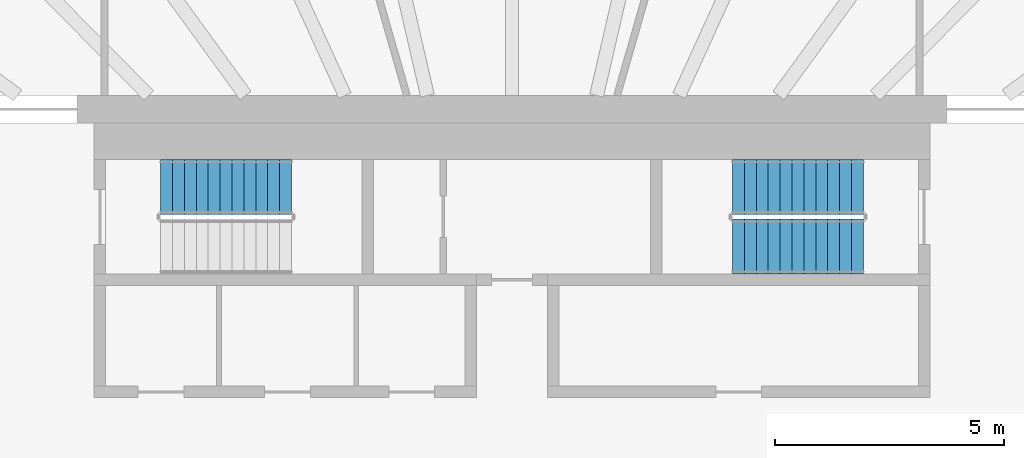
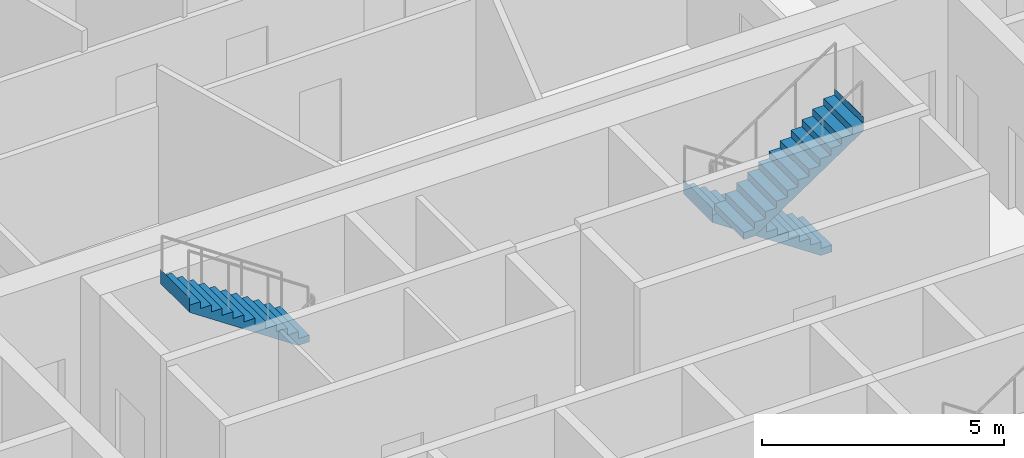
# One storey, part 20 of 26: 3 stair flights, 2 elements without a shape of their own.
"""IFC4 building model written with IfcOpenShell, lengths in metres."""

import ifcopenshell
import ifcopenshell.guid

model = None  # the IFC model being written
_history = None  # IfcOwnerHistory: only IFC2X3 demands one
_inside = {}  # id of a spatial element -> (the spatial element, [elements in it])
_under = {}  # id of a project, library or spatial element -> (it, [spatial elements below it])
_declared = {}  # id of a project -> (the project, [libraries it declares])
_typed = {}  # id of a type object -> (the type object, [elements of that type])
_made_of = {}  # id of a material, layer set ... -> (it, [elements and type objects made of it])


def new_model(schema):
    """Start an empty IFC model of exactly this schema.

    Asked for "IFC4X3", IfcOpenShell would pick the latest addendum, in which some entities
    have other attributes; the version numbers below select the first issue.
    IFC2X3 requires an IfcOwnerHistory on every rooted entity: one is made here for all.
    """
    global model, _history
    if schema == "IFC4X3":
        model = ifcopenshell.file(schema_version=(4, 3, 0, 0))
    else:
        model = ifcopenshell.file(schema=schema)
    _inside.clear()
    _under.clear()
    _declared.clear()
    _typed.clear()
    _made_of.clear()
    _history = None
    if model.schema == "IFC2X3":
        org = make("IfcOrganization", Name="unknown")
        user = make(
            "IfcPersonAndOrganization",
            ThePerson=make("IfcPerson", FamilyName="unknown"),
            TheOrganization=org,
        )
        app = make(
            "IfcApplication",
            ApplicationDeveloper=org,
            Version="unknown",
            ApplicationFullName="unknown",
            ApplicationIdentifier="unknown",
        )
        _history = make(
            "IfcOwnerHistory",
            OwningUser=user,
            OwningApplication=app,
            ChangeAction="ADDED",
            CreationDate=0,
        )
    return model


def make(cls, **values):
    """One entity of the class cls with the attributes given. An attribute that is None is left unset."""
    return model.create_entity(
        cls, **{name: value for name, value in values.items() if value is not None}
    )


def rooted(cls, **values):
    """An entity with a GlobalId (a new one), such as an element, a storey or a relation."""
    return make(cls, GlobalId=ifcopenshell.guid.new(), OwnerHistory=_history, **values)


def si_unit(unit_type, name, prefix=None):
    """IfcSIUnit, for example si_unit("LENGTHUNIT", "METRE", prefix="MILLI")."""
    return make("IfcSIUnit", UnitType=unit_type, Prefix=prefix, Name=name)


def assignment(units):
    """IfcUnitAssignment: the units of a project."""
    return None if units is None else make("IfcUnitAssignment", Units=units)


def point(xyz):
    """IfcCartesianPoint."""
    return None if xyz is None else make("IfcCartesianPoint", Coordinates=xyz)


def direction(xyz):
    """IfcDirection."""
    return None if xyz is None else make("IfcDirection", DirectionRatios=xyz)


def frame(location, z_axis=None, x_axis=None):
    """IfcAxis2Placement3D, a coordinate frame: its origin and axes. An axis left out is left unset."""
    return make(
        "IfcAxis2Placement3D",
        Location=point(location),
        Axis=direction(z_axis),
        RefDirection=direction(x_axis),
    )


def origin():
    """The frame at (0, 0, 0) with its axes left unset."""
    return frame((0.0, 0.0, 0.0))


def place(relative_to, where):
    """IfcLocalPlacement: puts the frame where relative to a parent placement (None: the world)."""
    return make(
        "IfcLocalPlacement", PlacementRelTo=relative_to, RelativePlacement=where
    )


def context(
    kind, dimensions, precision=None, world=None, true_north=None, identifier=None
):
    """IfcGeometricRepresentationContext, for example the 3D "Model" context."""
    return make(
        "IfcGeometricRepresentationContext",
        ContextIdentifier=identifier,
        ContextType=kind,
        CoordinateSpaceDimension=dimensions,
        Precision=precision,
        WorldCoordinateSystem=world,
        TrueNorth=true_north,
    )


def subcontext(parent, identifier, kind, view, scale=None):
    """IfcGeometricRepresentationSubContext, for example "Body" below "Model"."""
    return make(
        "IfcGeometricRepresentationSubContext",
        ContextIdentifier=identifier,
        ContextType=kind,
        ParentContext=parent,
        TargetScale=scale,
        TargetView=view,
    )


def project(units=None, contexts=None):
    """IfcProject with its units and contexts."""
    return rooted(
        "IfcProject",
        Name="project",
        RepresentationContexts=contexts,
        UnitsInContext=assignment(units),
    )


def spatial(cls, under=None, at=None, **own):
    """A site, building, storey or space (cls), placed at a placement, below another one or the project."""
    s = rooted(cls, ObjectPlacement=at, **own)
    if under is not None:
        _under.setdefault(under.id(), (under, []))[1].append(s)
    return s


def point_list(points):
    """IfcCartesianPointList2D or 3D."""
    cls = (
        "IfcCartesianPointList2D" if len(points[0]) == 2 else "IfcCartesianPointList3D"
    )
    return make(cls, CoordList=points)


def triangles(points, corners, closed=None, point_numbers=None):
    """IfcTriangulatedFaceSet: each triangle names its three corners, points numbered from 1."""
    return make(
        "IfcTriangulatedFaceSet",
        Coordinates=point_list(points),
        Closed=closed,
        CoordIndex=corners,
        PnIndex=point_numbers,
    )


def shape(context_of_items, identifier, shape_type, items):
    """IfcShapeRepresentation: the items that make up one representation, for example the "Body"."""
    return make(
        "IfcShapeRepresentation",
        ContextOfItems=context_of_items,
        RepresentationIdentifier=identifier,
        RepresentationType=shape_type,
        Items=items,
    )


def material(Name=None, Category=None):
    """IfcMaterial."""
    return make("IfcMaterial", Name=Name, Category=Category)


def made_of(thing, what):
    """Note that an element or type object is made of a material, layer set ...; save() writes the relation."""
    if what is not None:
        _made_of.setdefault(what.id(), (what, []))[1].append(thing)
    return thing


def type_object(cls, material=None, **own):
    """A type object (cls), such as IfcWallType, which elements share."""
    return made_of(rooted(cls, **own), material)


def element(
    cls,
    number,
    at=None,
    inside=None,
    cuts=None,
    type_object=None,
    material=None,
    context=None,
    identifier="Body",
    shape_type=None,
    held_by="IfcProductDefinitionShape",
    body=None,
    shapes=None,
    **own,
):
    """One element of the class cls, such as IfcWall. Its Tag is "e" and its number.

    at: its placement. inside: the storey or other place that contains it. cuts: it is an
    opening in that element (IfcRelVoidsElement). A single representation is given by context,
    identifier, shape_type and body (its items); several are given by shapes. held_by: the class
    of the entity that holds the representations. save() writes the other relations.
    """
    e = rooted(cls, Tag="e%d" % number, ObjectPlacement=at, **own)
    if body is not None:
        shapes = [shape(context, identifier, shape_type, body)]
    if shapes is not None:
        e.Representation = make(held_by, Representations=shapes)
    if inside is not None:
        _inside.setdefault(inside.id(), (inside, []))[1].append(e)
    if cuts is not None:
        rooted(
            "IfcRelVoidsElement", RelatingBuildingElement=cuts, RelatedOpeningElement=e
        )
    if type_object is not None:
        _typed.setdefault(type_object.id(), (type_object, []))[1].append(e)
    return made_of(e, material)


def aggregate(whole, parts):
    """IfcRelAggregates: a whole, such as a stair, and the parts it consists of."""
    return rooted("IfcRelAggregates", RelatingObject=whole, RelatedObjects=parts)


def save(model, path):
    """Write the relations noted so far, then the file.

    IfcRelAggregates (storeys below a building ...), IfcRelContainedInSpatialStructure (elements
    in a storey), IfcRelDefinesByType, IfcRelAssociatesMaterial and IfcRelDeclares: one each for
    every whole, place, type object, material and project.
    """
    for whole, parts in _under.values():
        aggregate(whole, parts)
    for where, things in _inside.values():
        rooted(
            "IfcRelContainedInSpatialStructure",
            RelatedElements=things,
            RelatingStructure=where,
        )
    for kind, things in _typed.values():
        rooted("IfcRelDefinesByType", RelatedObjects=things, RelatingType=kind)
    for what, things in _made_of.values():
        rooted("IfcRelAssociatesMaterial", RelatedObjects=things, RelatingMaterial=what)
    for by, libraries in _declared.values():
        rooted("IfcRelDeclares", RelatingContext=by, RelatedDefinitions=libraries)
    model.write(path)


model = new_model("IFC4")

# Units and contexts
model_context = context("Model", 3, precision=1e-05, world=origin(), true_north=direction((0.0, 1.0)))
body_context = subcontext(model_context, "Body", "Model", "MODEL_VIEW")
ifc_project = project(units=[si_unit("LENGTHUNIT", "METRE"), si_unit("AREAUNIT", "SQUARE_METRE"), si_unit("VOLUMEUNIT", "CUBIC_METRE"), si_unit("PLANEANGLEUNIT", "RADIAN"), si_unit("MASSUNIT", "GRAM", prefix="KILO")], contexts=[model_context])

# Site, building, storey
site_placement = place(None, origin())
site = spatial("IfcSite", under=ifc_project, at=site_placement, CompositionType="ELEMENT")
building_placement = place(site_placement, origin())
building = spatial("IfcBuilding", under=site, at=building_placement, Name="Sahrelin Media Tower", CompositionType="ELEMENT")
storey_placement = place(building_placement, frame((0.0, 0.0, 88.199951171875)))
storey = spatial("IfcBuildingStorey", under=building, at=storey_placement, Name="L16", CompositionType="ELEMENT", Elevation=88.199951171875)

# Stair, stair flight
ifc_material = material(Name="Concrete C40/50", Category="concrete")
stair_type = type_object("IfcStairType", Name="Exit stair 1200", PredefinedType="HALF_TURN_STAIR", material=ifc_material)
placement = place(storey_placement, origin())
stair_1 = element("IfcStair", 1, at=placement, inside=storey, type_object=stair_type, Name="L16 Exit stair ST1", PredefinedType="HALF_TURN_STAIR")
stair_flight_type = type_object("IfcStairFlightType", Name="Stair flight 1200", PredefinedType="STRAIGHT", material=ifc_material)
stair_flight_1_placement = place(storey_placement, frame((-4.81494140625, 6.0, 2.10009765625), z_axis=(0.0, 0.0, 1.0), x_axis=(-1.0, 0.0, 0.0)))
stair_flight_1 = element("IfcStairFlight", 2, at=stair_flight_1_placement, type_object=stair_flight_type, Name="ST1 flight 2", NumberOfRisers=12, NumberOfTreads=11, PredefinedType="STRAIGHT", RiserHeight=0.175, TreadLength=0.26, context=body_context, shape_type="Tessellation", body=[
    triangles([(0.2685546875, 0.60009765625, 0.0), (0.2685546875, 0.300048828125, 0.0), (0.2685546875, 0.0, 0.0), (0.2685546875, -0.300048828125, 0.0), (0.2685546875, -0.60009765625, 0.0), (2.860107421875, 0.60009765625, 1.744384765625), (2.860107421875, 0.300048828125, 1.744384765625), (2.860107421875, 0.0, 1.744384765625), (2.860107421875, -0.300048828125, 1.744384765625), (2.860107421875, -0.60009765625, 1.744384765625), (2.860107421875, 0.60009765625, 2.10009765625), (2.860107421875, 0.300048828125, 2.10009765625), (2.860107421875, 0.0, 2.10009765625), (2.860107421875, -0.300048828125, 2.10009765625), (2.860107421875, -0.60009765625, 2.10009765625), (2.85791015625, 0.60009765625, 2.10009765625), (2.85791015625, 0.300048828125, 2.10009765625), (2.85791015625, 0.0, 2.10009765625), (2.85791015625, -0.300048828125, 2.10009765625), (2.85791015625, -0.60009765625, 2.10009765625), (2.85791015625, 0.60009765625, 1.925048828125), (2.85791015625, 0.300048828125, 1.925048828125), (2.85791015625, 0.0, 1.925048828125), (2.85791015625, -0.300048828125, 1.925048828125), (2.85791015625, -0.60009765625, 1.925048828125), (2.60009765625, 0.60009765625, 1.925048828125), (2.60009765625, 0.300048828125, 1.925048828125), (2.60009765625, 0.0, 1.925048828125), (2.60009765625, -0.300048828125, 1.925048828125), (2.60009765625, -0.60009765625, 1.925048828125), (2.60009765625, 0.60009765625, 1.75), (2.60009765625, 0.300048828125, 1.75), (2.60009765625, 0.0, 1.75), (2.60009765625, -0.300048828125, 1.75), (2.60009765625, -0.60009765625, 1.75), (2.340087890625, 0.60009765625, 1.75), (2.340087890625, 0.300048828125, 1.75), (2.340087890625, 0.0, 1.75), (2.340087890625, -0.300048828125, 1.75), (2.340087890625, -0.60009765625, 1.75), (2.340087890625, 0.60009765625, 1.574951171875), (2.340087890625, 0.300048828125, 1.574951171875), (2.340087890625, 0.0, 1.574951171875), (2.340087890625, -0.300048828125, 1.574951171875), (2.340087890625, -0.60009765625, 1.574951171875), (2.080078125, 0.60009765625, 1.574951171875), (2.080078125, 0.300048828125, 1.574951171875), (2.080078125, 0.0, 1.574951171875), (2.080078125, -0.300048828125, 1.574951171875), (2.080078125, -0.60009765625, 1.574951171875), (2.080078125, 0.60009765625, 1.39990234375), (2.080078125, 0.300048828125, 1.39990234375), (2.080078125, 0.0, 1.39990234375), (2.080078125, -0.300048828125, 1.39990234375), (2.080078125, -0.60009765625, 1.39990234375), (1.820068359375, 0.60009765625, 1.39990234375), (1.820068359375, 0.300048828125, 1.39990234375), (1.820068359375, 0.0, 1.39990234375), (1.820068359375, -0.300048828125, 1.39990234375), (1.820068359375, -0.60009765625, 1.39990234375), (1.820068359375, 0.60009765625, 1.22509765625), (1.820068359375, 0.300048828125, 1.22509765625), (1.820068359375, 0.0, 1.22509765625), (1.820068359375, -0.300048828125, 1.22509765625), (1.820068359375, -0.60009765625, 1.22509765625), (1.56005859375, 0.60009765625, 1.22509765625), (1.56005859375, 0.300048828125, 1.22509765625), (1.56005859375, 0.0, 1.22509765625), (1.56005859375, -0.300048828125, 1.22509765625), (1.56005859375, -0.60009765625, 1.22509765625), (1.56005859375, 0.60009765625, 1.050048828125), (1.56005859375, 0.300048828125, 1.050048828125), (1.56005859375, 0.0, 1.050048828125), (1.56005859375, -0.300048828125, 1.050048828125), (1.56005859375, -0.60009765625, 1.050048828125), (1.300048828125, 0.60009765625, 1.050048828125), (1.300048828125, 0.300048828125, 1.050048828125), (1.300048828125, 0.0, 1.050048828125), (1.300048828125, -0.300048828125, 1.050048828125), (1.300048828125, -0.60009765625, 1.050048828125), (1.300048828125, 0.60009765625, 0.875), (1.300048828125, 0.300048828125, 0.875), (1.300048828125, 0.0, 0.875), (1.300048828125, -0.300048828125, 0.875), (1.300048828125, -0.60009765625, 0.875), (1.0400390625, 0.60009765625, 0.875), (1.0400390625, 0.300048828125, 0.875), (1.0400390625, 0.0, 0.875), (1.0400390625, -0.300048828125, 0.875), (1.0400390625, -0.60009765625, 0.875), (1.0400390625, 0.60009765625, 0.699951171875), (1.0400390625, 0.300048828125, 0.699951171875), (1.0400390625, 0.0, 0.699951171875), (1.0400390625, -0.300048828125, 0.699951171875), (1.0400390625, -0.60009765625, 0.699951171875), (0.780029296875, 0.60009765625, 0.699951171875), (0.780029296875, 0.300048828125, 0.699951171875), (0.780029296875, 0.0, 0.699951171875), (0.780029296875, -0.300048828125, 0.699951171875), (0.780029296875, -0.60009765625, 0.699951171875), (0.780029296875, 0.60009765625, 0.52490234375), (0.780029296875, 0.300048828125, 0.52490234375), (0.780029296875, 0.0, 0.52490234375), (0.780029296875, -0.300048828125, 0.52490234375), (0.780029296875, -0.60009765625, 0.52490234375), (0.52001953125, 0.60009765625, 0.52490234375), (0.52001953125, 0.300048828125, 0.52490234375), (0.52001953125, 0.0, 0.52490234375), (0.52001953125, -0.300048828125, 0.52490234375), (0.52001953125, -0.60009765625, 0.52490234375), (0.52001953125, 0.60009765625, 0.35009765625), (0.52001953125, 0.300048828125, 0.35009765625), (0.52001953125, 0.0, 0.35009765625), (0.52001953125, -0.300048828125, 0.35009765625), (0.52001953125, -0.60009765625, 0.35009765625), (0.260009765625, 0.60009765625, 0.35009765625), (0.260009765625, 0.300048828125, 0.35009765625), (0.260009765625, 0.0, 0.35009765625), (0.260009765625, -0.300048828125, 0.35009765625), (0.260009765625, -0.60009765625, 0.35009765625), (0.260009765625, 0.60009765625, 0.175048828125), (0.260009765625, 0.300048828125, 0.175048828125), (0.260009765625, 0.0, 0.175048828125), (0.260009765625, -0.300048828125, 0.175048828125), (0.260009765625, -0.60009765625, 0.175048828125), (0.0, 0.60009765625, 0.175048828125), (0.0, 0.300048828125, 0.175048828125), (0.0, 0.0, 0.175048828125), (0.0, -0.300048828125, 0.175048828125), (0.0, -0.60009765625, 0.175048828125), (0.0, 0.60009765625, 0.0), (0.0, 0.300048828125, 0.0), (0.0, 0.0, 0.0), (0.0, -0.300048828125, 0.0), (0.0, -0.60009765625, 0.0)], [[1, 6, 7], [1, 7, 2], [2, 7, 8], [2, 8, 3], [3, 8, 9], [3, 9, 4], [4, 9, 10], [4, 10, 5], [6, 11, 12], [6, 12, 7], [7, 12, 13], [7, 13, 8], [8, 13, 14], [8, 14, 9], [9, 14, 15], [9, 15, 10], [11, 16, 17], [11, 17, 12], [12, 17, 18], [12, 18, 13], [13, 18, 19], [13, 19, 14], [14, 19, 20], [14, 20, 15], [16, 21, 22], [16, 22, 17], [17, 22, 23], [17, 23, 18], [18, 23, 24], [18, 24, 19], [19, 24, 25], [19, 25, 20], [21, 26, 27], [21, 27, 22], [22, 27, 28], [22, 28, 23], [23, 28, 29], [23, 29, 24], [24, 29, 30], [24, 30, 25], [26, 31, 32], [26, 32, 27], [27, 32, 33], [27, 33, 28], [28, 33, 34], [28, 34, 29], [29, 34, 35], [29, 35, 30], [31, 36, 37], [31, 37, 32], [32, 37, 38], [32, 38, 33], [33, 38, 39], [33, 39, 34], [34, 39, 40], [34, 40, 35], [36, 41, 42], [36, 42, 37], [37, 42, 43], [37, 43, 38], [38, 43, 44], [38, 44, 39], [39, 44, 45], [39, 45, 40], [41, 46, 47], [41, 47, 42], [42, 47, 48], [42, 48, 43], [43, 48, 49], [43, 49, 44], [44, 49, 50], [44, 50, 45], [46, 51, 52], [46, 52, 47], [47, 52, 53], [47, 53, 48], [48, 53, 54], [48, 54, 49], [49, 54, 55], [49, 55, 50], [51, 56, 57], [51, 57, 52], [52, 57, 58], [52, 58, 53], [53, 58, 59], [53, 59, 54], [54, 59, 60], [54, 60, 55], [56, 61, 62], [56, 62, 57], [57, 62, 63], [57, 63, 58], [58, 63, 64], [58, 64, 59], [59, 64, 65], [59, 65, 60], [61, 66, 67], [61, 67, 62], [62, 67, 68], [62, 68, 63], [63, 68, 69], [63, 69, 64], [64, 69, 70], [64, 70, 65], [66, 71, 72], [66, 72, 67], [67, 72, 73], [67, 73, 68], [68, 73, 74], [68, 74, 69], [69, 74, 75], [69, 75, 70], [71, 76, 77], [71, 77, 72], [72, 77, 78], [72, 78, 73], [73, 78, 79], [73, 79, 74], [74, 79, 80], [74, 80, 75], [76, 81, 82], [76, 82, 77], [77, 82, 83], [77, 83, 78], [78, 83, 84], [78, 84, 79], [79, 84, 85], [79, 85, 80], [81, 86, 87], [81, 87, 82], [82, 87, 88], [82, 88, 83], [83, 88, 89], [83, 89, 84], [84, 89, 90], [84, 90, 85], [86, 91, 92], [86, 92, 87], [87, 92, 93], [87, 93, 88], [88, 93, 94], [88, 94, 89], [89, 94, 95], [89, 95, 90], [91, 96, 97], [91, 97, 92], [92, 97, 98], [92, 98, 93], [93, 98, 99], [93, 99, 94], [94, 99, 100], [94, 100, 95], [96, 101, 102], [96, 102, 97], [97, 102, 103], [97, 103, 98], [98, 103, 104], [98, 104, 99], [99, 104, 105], [99, 105, 100], [101, 106, 107], [101, 107, 102], [102, 107, 108], [102, 108, 103], [103, 108, 109], [103, 109, 104], [104, 109, 110], [104, 110, 105], [106, 111, 112], [106, 112, 107], [107, 112, 113], [107, 113, 108], [108, 113, 114], [108, 114, 109], [109, 114, 115], [109, 115, 110], [111, 116, 117], [111, 117, 112], [112, 117, 118], [112, 118, 113], [113, 118, 119], [113, 119, 114], [114, 119, 120], [114, 120, 115], [116, 121, 122], [116, 122, 117], [117, 122, 123], [117, 123, 118], [118, 123, 124], [118, 124, 119], [119, 124, 125], [119, 125, 120], [121, 126, 127], [121, 127, 122], [122, 127, 128], [122, 128, 123], [123, 128, 129], [123, 129, 124], [124, 129, 130], [124, 130, 125], [126, 131, 132], [126, 132, 127], [127, 132, 133], [127, 133, 128], [128, 133, 134], [128, 134, 129], [129, 134, 135], [129, 135, 130], [131, 1, 2], [131, 2, 132], [132, 2, 3], [132, 3, 133], [133, 3, 4], [133, 4, 134], [134, 4, 5], [134, 5, 135], [125, 130, 135], [121, 131, 126], [125, 115, 120], [121, 116, 111], [115, 105, 110], [111, 106, 101], [105, 95, 100], [101, 96, 91], [95, 85, 90], [91, 86, 81], [85, 75, 80], [81, 76, 71], [75, 65, 70], [71, 66, 61], [65, 55, 60], [61, 56, 51], [55, 45, 50], [51, 46, 41], [45, 35, 40], [41, 36, 31], [35, 25, 30], [31, 26, 21], [25, 15, 20], [21, 16, 11], [135, 5, 125], [131, 121, 1], [95, 105, 5], [91, 1, 101], [5, 10, 75], [1, 71, 6], [10, 35, 45], [6, 41, 31], [25, 10, 15], [21, 11, 6], [115, 125, 5], [111, 1, 121], [75, 85, 5], [71, 1, 81], [35, 10, 25], [31, 21, 6], [105, 115, 5], [101, 1, 111], [45, 55, 10], [41, 6, 51], [85, 95, 5], [81, 1, 91], [65, 10, 55], [61, 51, 6], [10, 65, 75], [6, 71, 61]], closed=True),
])
aggregate(stair_1, [stair_flight_1])

# Stair, stair flights
stair_2 = element("IfcStair", 3, at=placement, inside=storey, type_object=stair_type, Name="L16 Exit stair ST3", PredefinedType="HALF_TURN_STAIR")
stair_flight_2_placement = place(storey_placement, frame((7.675048828125, 6.0, 0.0), z_axis=(0.0, 0.0, 1.0), x_axis=(-1.0, 0.0, 0.0)))
stair_flight_2 = element("IfcStairFlight", 4, at=stair_flight_2_placement, type_object=stair_flight_type, Name="ST3 flight 1", NumberOfRisers=12, NumberOfTreads=11, PredefinedType="STRAIGHT", RiserHeight=0.175, TreadLength=0.26, context=body_context, shape_type="Tessellation", body=[
    triangles([(0.2685546875, 0.60009765625, 0.0), (0.2685546875, 0.300048828125, 0.0), (0.2685546875, 0.0, 0.0), (0.2685546875, -0.300048828125, 0.0), (0.2685546875, -0.60009765625, 0.0), (2.860107421875, 0.60009765625, 1.744384765625), (2.860107421875, 0.300048828125, 1.744384765625), (2.860107421875, 0.0, 1.744384765625), (2.860107421875, -0.300048828125, 1.744384765625), (2.860107421875, -0.60009765625, 1.744384765625), (2.860107421875, 0.60009765625, 2.10009765625), (2.860107421875, 0.300048828125, 2.10009765625), (2.860107421875, 0.0, 2.10009765625), (2.860107421875, -0.300048828125, 2.10009765625), (2.860107421875, -0.60009765625, 2.10009765625), (2.85791015625, 0.60009765625, 2.10009765625), (2.85791015625, 0.300048828125, 2.10009765625), (2.85791015625, 0.0, 2.10009765625), (2.85791015625, -0.300048828125, 2.10009765625), (2.85791015625, -0.60009765625, 2.10009765625), (2.85791015625, 0.60009765625, 1.925048828125), (2.85791015625, 0.300048828125, 1.925048828125), (2.85791015625, 0.0, 1.925048828125), (2.85791015625, -0.300048828125, 1.925048828125), (2.85791015625, -0.60009765625, 1.925048828125), (2.60009765625, 0.60009765625, 1.925048828125), (2.60009765625, 0.300048828125, 1.925048828125), (2.60009765625, 0.0, 1.925048828125), (2.60009765625, -0.300048828125, 1.925048828125), (2.60009765625, -0.60009765625, 1.925048828125), (2.60009765625, 0.60009765625, 1.75), (2.60009765625, 0.300048828125, 1.75), (2.60009765625, 0.0, 1.75), (2.60009765625, -0.300048828125, 1.75), (2.60009765625, -0.60009765625, 1.75), (2.340087890625, 0.60009765625, 1.75), (2.340087890625, 0.300048828125, 1.75), (2.340087890625, 0.0, 1.75), (2.340087890625, -0.300048828125, 1.75), (2.340087890625, -0.60009765625, 1.75), (2.340087890625, 0.60009765625, 1.574951171875), (2.340087890625, 0.300048828125, 1.574951171875), (2.340087890625, 0.0, 1.574951171875), (2.340087890625, -0.300048828125, 1.574951171875), (2.340087890625, -0.60009765625, 1.574951171875), (2.080078125, 0.60009765625, 1.574951171875), (2.080078125, 0.300048828125, 1.574951171875), (2.080078125, 0.0, 1.574951171875), (2.080078125, -0.300048828125, 1.574951171875), (2.080078125, -0.60009765625, 1.574951171875), (2.080078125, 0.60009765625, 1.39990234375), (2.080078125, 0.300048828125, 1.39990234375), (2.080078125, 0.0, 1.39990234375), (2.080078125, -0.300048828125, 1.39990234375), (2.080078125, -0.60009765625, 1.39990234375), (1.820068359375, 0.60009765625, 1.39990234375), (1.820068359375, 0.300048828125, 1.39990234375), (1.820068359375, 0.0, 1.39990234375), (1.820068359375, -0.300048828125, 1.39990234375), (1.820068359375, -0.60009765625, 1.39990234375), (1.820068359375, 0.60009765625, 1.22509765625), (1.820068359375, 0.300048828125, 1.22509765625), (1.820068359375, 0.0, 1.22509765625), (1.820068359375, -0.300048828125, 1.22509765625), (1.820068359375, -0.60009765625, 1.22509765625), (1.56005859375, 0.60009765625, 1.22509765625), (1.56005859375, 0.300048828125, 1.22509765625), (1.56005859375, 0.0, 1.22509765625), (1.56005859375, -0.300048828125, 1.22509765625), (1.56005859375, -0.60009765625, 1.22509765625), (1.56005859375, 0.60009765625, 1.050048828125), (1.56005859375, 0.300048828125, 1.050048828125), (1.56005859375, 0.0, 1.050048828125), (1.56005859375, -0.300048828125, 1.050048828125), (1.56005859375, -0.60009765625, 1.050048828125), (1.300048828125, 0.60009765625, 1.050048828125), (1.300048828125, 0.300048828125, 1.050048828125), (1.300048828125, 0.0, 1.050048828125), (1.300048828125, -0.300048828125, 1.050048828125), (1.300048828125, -0.60009765625, 1.050048828125), (1.300048828125, 0.60009765625, 0.875), (1.300048828125, 0.300048828125, 0.875), (1.300048828125, 0.0, 0.875), (1.300048828125, -0.300048828125, 0.875), (1.300048828125, -0.60009765625, 0.875), (1.0400390625, 0.60009765625, 0.875), (1.0400390625, 0.300048828125, 0.875), (1.0400390625, 0.0, 0.875), (1.0400390625, -0.300048828125, 0.875), (1.0400390625, -0.60009765625, 0.875), (1.0400390625, 0.60009765625, 0.699951171875), (1.0400390625, 0.300048828125, 0.699951171875), (1.0400390625, 0.0, 0.699951171875), (1.0400390625, -0.300048828125, 0.699951171875), (1.0400390625, -0.60009765625, 0.699951171875), (0.780029296875, 0.60009765625, 0.699951171875), (0.780029296875, 0.300048828125, 0.699951171875), (0.780029296875, 0.0, 0.699951171875), (0.780029296875, -0.300048828125, 0.699951171875), (0.780029296875, -0.60009765625, 0.699951171875), (0.780029296875, 0.60009765625, 0.52490234375), (0.780029296875, 0.300048828125, 0.52490234375), (0.780029296875, 0.0, 0.52490234375), (0.780029296875, -0.300048828125, 0.52490234375), (0.780029296875, -0.60009765625, 0.52490234375), (0.52001953125, 0.60009765625, 0.52490234375), (0.52001953125, 0.300048828125, 0.52490234375), (0.52001953125, 0.0, 0.52490234375), (0.52001953125, -0.300048828125, 0.52490234375), (0.52001953125, -0.60009765625, 0.52490234375), (0.52001953125, 0.60009765625, 0.35009765625), (0.52001953125, 0.300048828125, 0.35009765625), (0.52001953125, 0.0, 0.35009765625), (0.52001953125, -0.300048828125, 0.35009765625), (0.52001953125, -0.60009765625, 0.35009765625), (0.260009765625, 0.60009765625, 0.35009765625), (0.260009765625, 0.300048828125, 0.35009765625), (0.260009765625, 0.0, 0.35009765625), (0.260009765625, -0.300048828125, 0.35009765625), (0.260009765625, -0.60009765625, 0.35009765625), (0.260009765625, 0.60009765625, 0.175048828125), (0.260009765625, 0.300048828125, 0.175048828125), (0.260009765625, 0.0, 0.175048828125), (0.260009765625, -0.300048828125, 0.175048828125), (0.260009765625, -0.60009765625, 0.175048828125), (0.0, 0.60009765625, 0.175048828125), (0.0, 0.300048828125, 0.175048828125), (0.0, 0.0, 0.175048828125), (0.0, -0.300048828125, 0.175048828125), (0.0, -0.60009765625, 0.175048828125), (0.0, 0.60009765625, 0.0), (0.0, 0.300048828125, 0.0), (0.0, 0.0, 0.0), (0.0, -0.300048828125, 0.0), (0.0, -0.60009765625, 0.0)], [[1, 6, 7], [1, 7, 2], [2, 7, 8], [2, 8, 3], [3, 8, 9], [3, 9, 4], [4, 9, 10], [4, 10, 5], [6, 11, 12], [6, 12, 7], [7, 12, 13], [7, 13, 8], [8, 13, 14], [8, 14, 9], [9, 14, 15], [9, 15, 10], [11, 16, 17], [11, 17, 12], [12, 17, 18], [12, 18, 13], [13, 18, 19], [13, 19, 14], [14, 19, 20], [14, 20, 15], [16, 21, 22], [16, 22, 17], [17, 22, 23], [17, 23, 18], [18, 23, 24], [18, 24, 19], [19, 24, 25], [19, 25, 20], [21, 26, 27], [21, 27, 22], [22, 27, 28], [22, 28, 23], [23, 28, 29], [23, 29, 24], [24, 29, 30], [24, 30, 25], [26, 31, 32], [26, 32, 27], [27, 32, 33], [27, 33, 28], [28, 33, 34], [28, 34, 29], [29, 34, 35], [29, 35, 30], [31, 36, 37], [31, 37, 32], [32, 37, 38], [32, 38, 33], [33, 38, 39], [33, 39, 34], [34, 39, 40], [34, 40, 35], [36, 41, 42], [36, 42, 37], [37, 42, 43], [37, 43, 38], [38, 43, 44], [38, 44, 39], [39, 44, 45], [39, 45, 40], [41, 46, 47], [41, 47, 42], [42, 47, 48], [42, 48, 43], [43, 48, 49], [43, 49, 44], [44, 49, 50], [44, 50, 45], [46, 51, 52], [46, 52, 47], [47, 52, 53], [47, 53, 48], [48, 53, 54], [48, 54, 49], [49, 54, 55], [49, 55, 50], [51, 56, 57], [51, 57, 52], [52, 57, 58], [52, 58, 53], [53, 58, 59], [53, 59, 54], [54, 59, 60], [54, 60, 55], [56, 61, 62], [56, 62, 57], [57, 62, 63], [57, 63, 58], [58, 63, 64], [58, 64, 59], [59, 64, 65], [59, 65, 60], [61, 66, 67], [61, 67, 62], [62, 67, 68], [62, 68, 63], [63, 68, 69], [63, 69, 64], [64, 69, 70], [64, 70, 65], [66, 71, 72], [66, 72, 67], [67, 72, 73], [67, 73, 68], [68, 73, 74], [68, 74, 69], [69, 74, 75], [69, 75, 70], [71, 76, 77], [71, 77, 72], [72, 77, 78], [72, 78, 73], [73, 78, 79], [73, 79, 74], [74, 79, 80], [74, 80, 75], [76, 81, 82], [76, 82, 77], [77, 82, 83], [77, 83, 78], [78, 83, 84], [78, 84, 79], [79, 84, 85], [79, 85, 80], [81, 86, 87], [81, 87, 82], [82, 87, 88], [82, 88, 83], [83, 88, 89], [83, 89, 84], [84, 89, 90], [84, 90, 85], [86, 91, 92], [86, 92, 87], [87, 92, 93], [87, 93, 88], [88, 93, 94], [88, 94, 89], [89, 94, 95], [89, 95, 90], [91, 96, 97], [91, 97, 92], [92, 97, 98], [92, 98, 93], [93, 98, 99], [93, 99, 94], [94, 99, 100], [94, 100, 95], [96, 101, 102], [96, 102, 97], [97, 102, 103], [97, 103, 98], [98, 103, 104], [98, 104, 99], [99, 104, 105], [99, 105, 100], [101, 106, 107], [101, 107, 102], [102, 107, 108], [102, 108, 103], [103, 108, 109], [103, 109, 104], [104, 109, 110], [104, 110, 105], [106, 111, 112], [106, 112, 107], [107, 112, 113], [107, 113, 108], [108, 113, 114], [108, 114, 109], [109, 114, 115], [109, 115, 110], [111, 116, 117], [111, 117, 112], [112, 117, 118], [112, 118, 113], [113, 118, 119], [113, 119, 114], [114, 119, 120], [114, 120, 115], [116, 121, 122], [116, 122, 117], [117, 122, 123], [117, 123, 118], [118, 123, 124], [118, 124, 119], [119, 124, 125], [119, 125, 120], [121, 126, 127], [121, 127, 122], [122, 127, 128], [122, 128, 123], [123, 128, 129], [123, 129, 124], [124, 129, 130], [124, 130, 125], [126, 131, 132], [126, 132, 127], [127, 132, 133], [127, 133, 128], [128, 133, 134], [128, 134, 129], [129, 134, 135], [129, 135, 130], [131, 1, 2], [131, 2, 132], [132, 2, 3], [132, 3, 133], [133, 3, 4], [133, 4, 134], [134, 4, 5], [134, 5, 135], [125, 130, 135], [121, 131, 126], [125, 115, 120], [121, 116, 111], [115, 105, 110], [111, 106, 101], [105, 95, 100], [101, 96, 91], [95, 85, 90], [91, 86, 81], [85, 75, 80], [81, 76, 71], [75, 65, 70], [71, 66, 61], [65, 55, 60], [61, 56, 51], [55, 45, 50], [51, 46, 41], [45, 35, 40], [41, 36, 31], [35, 25, 30], [31, 26, 21], [25, 15, 20], [21, 16, 11], [135, 5, 125], [131, 121, 1], [95, 105, 5], [91, 1, 101], [5, 10, 75], [1, 71, 6], [10, 35, 45], [6, 41, 31], [25, 10, 15], [21, 11, 6], [115, 125, 5], [111, 1, 121], [75, 85, 5], [71, 1, 81], [35, 10, 25], [31, 21, 6], [105, 115, 5], [101, 1, 111], [45, 55, 10], [41, 6, 51], [85, 95, 5], [81, 1, 91], [65, 10, 55], [61, 51, 6], [10, 65, 75], [6, 71, 61]], closed=True),
])
stair_flight_3_placement = place(storey_placement, frame((4.81494140625, 4.699951171875, 2.10009765625), z_axis=(0.0, 0.0, 1.0), x_axis=(1.0, 0.0, 0.0)))
stair_flight_3 = element("IfcStairFlight", 5, at=stair_flight_3_placement, type_object=stair_flight_type, Name="ST3 flight 2", NumberOfRisers=12, NumberOfTreads=11, PredefinedType="STRAIGHT", RiserHeight=0.175, TreadLength=0.26, context=body_context, shape_type="Tessellation", body=[
    triangles([(0.2685546875, 0.60009765625, 0.0), (0.2685546875, 0.300048828125, 0.0), (0.2685546875, 0.0, 0.0), (0.2685546875, -0.300048828125, 0.0), (0.2685546875, -0.60009765625, 0.0), (2.860107421875, 0.60009765625, 1.744384765625), (2.860107421875, 0.300048828125, 1.744384765625), (2.860107421875, 0.0, 1.744384765625), (2.860107421875, -0.300048828125, 1.744384765625), (2.860107421875, -0.60009765625, 1.744384765625), (2.860107421875, 0.60009765625, 2.10009765625), (2.860107421875, 0.300048828125, 2.10009765625), (2.860107421875, 0.0, 2.10009765625), (2.860107421875, -0.300048828125, 2.10009765625), (2.860107421875, -0.60009765625, 2.10009765625), (2.85791015625, 0.60009765625, 2.10009765625), (2.85791015625, 0.300048828125, 2.10009765625), (2.85791015625, 0.0, 2.10009765625), (2.85791015625, -0.300048828125, 2.10009765625), (2.85791015625, -0.60009765625, 2.10009765625), (2.85791015625, 0.60009765625, 1.925048828125), (2.85791015625, 0.300048828125, 1.925048828125), (2.85791015625, 0.0, 1.925048828125), (2.85791015625, -0.300048828125, 1.925048828125), (2.85791015625, -0.60009765625, 1.925048828125), (2.60009765625, 0.60009765625, 1.925048828125), (2.60009765625, 0.300048828125, 1.925048828125), (2.60009765625, 0.0, 1.925048828125), (2.60009765625, -0.300048828125, 1.925048828125), (2.60009765625, -0.60009765625, 1.925048828125), (2.60009765625, 0.60009765625, 1.75), (2.60009765625, 0.300048828125, 1.75), (2.60009765625, 0.0, 1.75), (2.60009765625, -0.300048828125, 1.75), (2.60009765625, -0.60009765625, 1.75), (2.340087890625, 0.60009765625, 1.75), (2.340087890625, 0.300048828125, 1.75), (2.340087890625, 0.0, 1.75), (2.340087890625, -0.300048828125, 1.75), (2.340087890625, -0.60009765625, 1.75), (2.340087890625, 0.60009765625, 1.574951171875), (2.340087890625, 0.300048828125, 1.574951171875), (2.340087890625, 0.0, 1.574951171875), (2.340087890625, -0.300048828125, 1.574951171875), (2.340087890625, -0.60009765625, 1.574951171875), (2.080078125, 0.60009765625, 1.574951171875), (2.080078125, 0.300048828125, 1.574951171875), (2.080078125, 0.0, 1.574951171875), (2.080078125, -0.300048828125, 1.574951171875), (2.080078125, -0.60009765625, 1.574951171875), (2.080078125, 0.60009765625, 1.39990234375), (2.080078125, 0.300048828125, 1.39990234375), (2.080078125, 0.0, 1.39990234375), (2.080078125, -0.300048828125, 1.39990234375), (2.080078125, -0.60009765625, 1.39990234375), (1.820068359375, 0.60009765625, 1.39990234375), (1.820068359375, 0.300048828125, 1.39990234375), (1.820068359375, 0.0, 1.39990234375), (1.820068359375, -0.300048828125, 1.39990234375), (1.820068359375, -0.60009765625, 1.39990234375), (1.820068359375, 0.60009765625, 1.22509765625), (1.820068359375, 0.300048828125, 1.22509765625), (1.820068359375, 0.0, 1.22509765625), (1.820068359375, -0.300048828125, 1.22509765625), (1.820068359375, -0.60009765625, 1.22509765625), (1.56005859375, 0.60009765625, 1.22509765625), (1.56005859375, 0.300048828125, 1.22509765625), (1.56005859375, 0.0, 1.22509765625), (1.56005859375, -0.300048828125, 1.22509765625), (1.56005859375, -0.60009765625, 1.22509765625), (1.56005859375, 0.60009765625, 1.050048828125), (1.56005859375, 0.300048828125, 1.050048828125), (1.56005859375, 0.0, 1.050048828125), (1.56005859375, -0.300048828125, 1.050048828125), (1.56005859375, -0.60009765625, 1.050048828125), (1.300048828125, 0.60009765625, 1.050048828125), (1.300048828125, 0.300048828125, 1.050048828125), (1.300048828125, 0.0, 1.050048828125), (1.300048828125, -0.300048828125, 1.050048828125), (1.300048828125, -0.60009765625, 1.050048828125), (1.300048828125, 0.60009765625, 0.875), (1.300048828125, 0.300048828125, 0.875), (1.300048828125, 0.0, 0.875), (1.300048828125, -0.300048828125, 0.875), (1.300048828125, -0.60009765625, 0.875), (1.0400390625, 0.60009765625, 0.875), (1.0400390625, 0.300048828125, 0.875), (1.0400390625, 0.0, 0.875), (1.0400390625, -0.300048828125, 0.875), (1.0400390625, -0.60009765625, 0.875), (1.0400390625, 0.60009765625, 0.699951171875), (1.0400390625, 0.300048828125, 0.699951171875), (1.0400390625, 0.0, 0.699951171875), (1.0400390625, -0.300048828125, 0.699951171875), (1.0400390625, -0.60009765625, 0.699951171875), (0.780029296875, 0.60009765625, 0.699951171875), (0.780029296875, 0.300048828125, 0.699951171875), (0.780029296875, 0.0, 0.699951171875), (0.780029296875, -0.300048828125, 0.699951171875), (0.780029296875, -0.60009765625, 0.699951171875), (0.780029296875, 0.60009765625, 0.52490234375), (0.780029296875, 0.300048828125, 0.52490234375), (0.780029296875, 0.0, 0.52490234375), (0.780029296875, -0.300048828125, 0.52490234375), (0.780029296875, -0.60009765625, 0.52490234375), (0.52001953125, 0.60009765625, 0.52490234375), (0.52001953125, 0.300048828125, 0.52490234375), (0.52001953125, 0.0, 0.52490234375), (0.52001953125, -0.300048828125, 0.52490234375), (0.52001953125, -0.60009765625, 0.52490234375), (0.52001953125, 0.60009765625, 0.35009765625), (0.52001953125, 0.300048828125, 0.35009765625), (0.52001953125, 0.0, 0.35009765625), (0.52001953125, -0.300048828125, 0.35009765625), (0.52001953125, -0.60009765625, 0.35009765625), (0.260009765625, 0.60009765625, 0.35009765625), (0.260009765625, 0.300048828125, 0.35009765625), (0.260009765625, 0.0, 0.35009765625), (0.260009765625, -0.300048828125, 0.35009765625), (0.260009765625, -0.60009765625, 0.35009765625), (0.260009765625, 0.60009765625, 0.175048828125), (0.260009765625, 0.300048828125, 0.175048828125), (0.260009765625, 0.0, 0.175048828125), (0.260009765625, -0.300048828125, 0.175048828125), (0.260009765625, -0.60009765625, 0.175048828125), (0.0, 0.60009765625, 0.175048828125), (0.0, 0.300048828125, 0.175048828125), (0.0, 0.0, 0.175048828125), (0.0, -0.300048828125, 0.175048828125), (0.0, -0.60009765625, 0.175048828125), (0.0, 0.60009765625, 0.0), (0.0, 0.300048828125, 0.0), (0.0, 0.0, 0.0), (0.0, -0.300048828125, 0.0), (0.0, -0.60009765625, 0.0)], [[1, 6, 7], [1, 7, 2], [2, 7, 8], [2, 8, 3], [3, 8, 9], [3, 9, 4], [4, 9, 10], [4, 10, 5], [6, 11, 12], [6, 12, 7], [7, 12, 13], [7, 13, 8], [8, 13, 14], [8, 14, 9], [9, 14, 15], [9, 15, 10], [11, 16, 17], [11, 17, 12], [12, 17, 18], [12, 18, 13], [13, 18, 19], [13, 19, 14], [14, 19, 20], [14, 20, 15], [16, 21, 22], [16, 22, 17], [17, 22, 23], [17, 23, 18], [18, 23, 24], [18, 24, 19], [19, 24, 25], [19, 25, 20], [21, 26, 27], [21, 27, 22], [22, 27, 28], [22, 28, 23], [23, 28, 29], [23, 29, 24], [24, 29, 30], [24, 30, 25], [26, 31, 32], [26, 32, 27], [27, 32, 33], [27, 33, 28], [28, 33, 34], [28, 34, 29], [29, 34, 35], [29, 35, 30], [31, 36, 37], [31, 37, 32], [32, 37, 38], [32, 38, 33], [33, 38, 39], [33, 39, 34], [34, 39, 40], [34, 40, 35], [36, 41, 42], [36, 42, 37], [37, 42, 43], [37, 43, 38], [38, 43, 44], [38, 44, 39], [39, 44, 45], [39, 45, 40], [41, 46, 47], [41, 47, 42], [42, 47, 48], [42, 48, 43], [43, 48, 49], [43, 49, 44], [44, 49, 50], [44, 50, 45], [46, 51, 52], [46, 52, 47], [47, 52, 53], [47, 53, 48], [48, 53, 54], [48, 54, 49], [49, 54, 55], [49, 55, 50], [51, 56, 57], [51, 57, 52], [52, 57, 58], [52, 58, 53], [53, 58, 59], [53, 59, 54], [54, 59, 60], [54, 60, 55], [56, 61, 62], [56, 62, 57], [57, 62, 63], [57, 63, 58], [58, 63, 64], [58, 64, 59], [59, 64, 65], [59, 65, 60], [61, 66, 67], [61, 67, 62], [62, 67, 68], [62, 68, 63], [63, 68, 69], [63, 69, 64], [64, 69, 70], [64, 70, 65], [66, 71, 72], [66, 72, 67], [67, 72, 73], [67, 73, 68], [68, 73, 74], [68, 74, 69], [69, 74, 75], [69, 75, 70], [71, 76, 77], [71, 77, 72], [72, 77, 78], [72, 78, 73], [73, 78, 79], [73, 79, 74], [74, 79, 80], [74, 80, 75], [76, 81, 82], [76, 82, 77], [77, 82, 83], [77, 83, 78], [78, 83, 84], [78, 84, 79], [79, 84, 85], [79, 85, 80], [81, 86, 87], [81, 87, 82], [82, 87, 88], [82, 88, 83], [83, 88, 89], [83, 89, 84], [84, 89, 90], [84, 90, 85], [86, 91, 92], [86, 92, 87], [87, 92, 93], [87, 93, 88], [88, 93, 94], [88, 94, 89], [89, 94, 95], [89, 95, 90], [91, 96, 97], [91, 97, 92], [92, 97, 98], [92, 98, 93], [93, 98, 99], [93, 99, 94], [94, 99, 100], [94, 100, 95], [96, 101, 102], [96, 102, 97], [97, 102, 103], [97, 103, 98], [98, 103, 104], [98, 104, 99], [99, 104, 105], [99, 105, 100], [101, 106, 107], [101, 107, 102], [102, 107, 108], [102, 108, 103], [103, 108, 109], [103, 109, 104], [104, 109, 110], [104, 110, 105], [106, 111, 112], [106, 112, 107], [107, 112, 113], [107, 113, 108], [108, 113, 114], [108, 114, 109], [109, 114, 115], [109, 115, 110], [111, 116, 117], [111, 117, 112], [112, 117, 118], [112, 118, 113], [113, 118, 119], [113, 119, 114], [114, 119, 120], [114, 120, 115], [116, 121, 122], [116, 122, 117], [117, 122, 123], [117, 123, 118], [118, 123, 124], [118, 124, 119], [119, 124, 125], [119, 125, 120], [121, 126, 127], [121, 127, 122], [122, 127, 128], [122, 128, 123], [123, 128, 129], [123, 129, 124], [124, 129, 130], [124, 130, 125], [126, 131, 132], [126, 132, 127], [127, 132, 133], [127, 133, 128], [128, 133, 134], [128, 134, 129], [129, 134, 135], [129, 135, 130], [131, 1, 2], [131, 2, 132], [132, 2, 3], [132, 3, 133], [133, 3, 4], [133, 4, 134], [134, 4, 5], [134, 5, 135], [125, 130, 135], [121, 131, 126], [125, 115, 120], [121, 116, 111], [115, 105, 110], [111, 106, 101], [105, 95, 100], [101, 96, 91], [95, 85, 90], [91, 86, 81], [85, 75, 80], [81, 76, 71], [75, 65, 70], [71, 66, 61], [65, 55, 60], [61, 56, 51], [55, 45, 50], [51, 46, 41], [45, 35, 40], [41, 36, 31], [35, 25, 30], [31, 26, 21], [25, 15, 20], [21, 16, 11], [135, 5, 125], [131, 121, 1], [95, 105, 5], [91, 1, 101], [5, 10, 75], [1, 71, 6], [10, 35, 45], [6, 41, 31], [25, 10, 15], [21, 11, 6], [115, 125, 5], [111, 1, 121], [75, 85, 5], [71, 1, 81], [35, 10, 25], [31, 21, 6], [105, 115, 5], [101, 1, 111], [45, 55, 10], [41, 6, 51], [85, 95, 5], [81, 1, 91], [65, 10, 55], [61, 51, 6], [10, 65, 75], [6, 71, 61]], closed=True),
])
aggregate(stair_2, [stair_flight_2, stair_flight_3])

save(model, "model.ifc")
